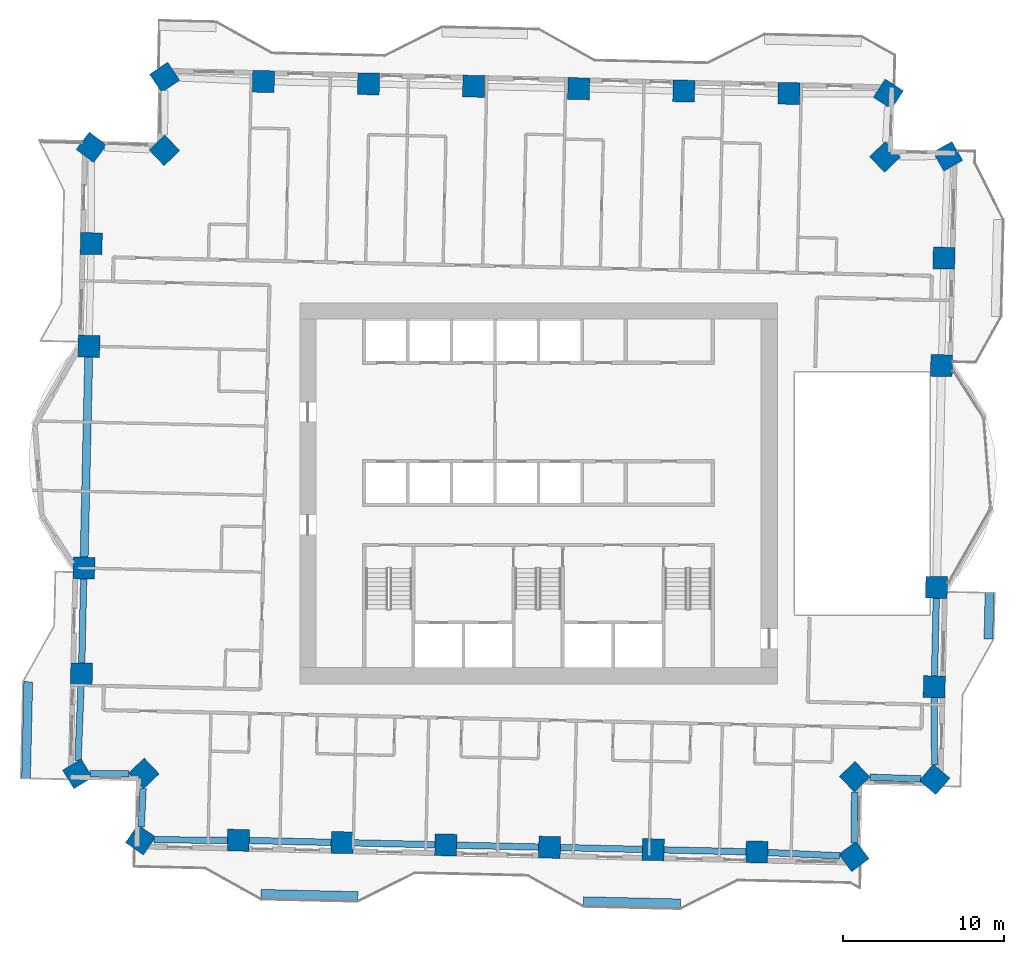
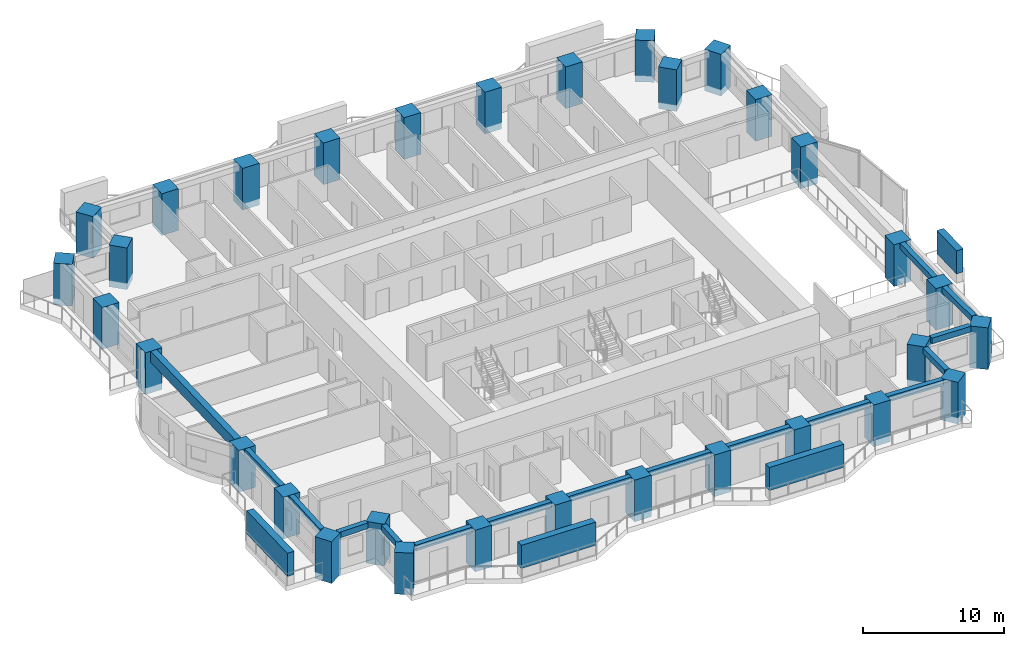
# One storey, part 1 of 16: 32 columns, 16 beams, 4 members.
"""IFC4 building model written with IfcOpenShell, lengths in metres."""

from ifc_helpers import new_model, si_unit, direction, frame, origin, origin_2d, place, context, subcontext, project, spatial, rectangle, extrude, material, material_profile, profile_set, type_object, element, save


model = new_model("IFC4")

# Units and contexts
model_context = context("Model", 3, precision=1e-05, world=origin(), true_north=direction((0.0, 1.0)))
body_context = subcontext(model_context, "Body", "Model", "MODEL_VIEW")
ifc_project = project(units=[si_unit("LENGTHUNIT", "METRE"), si_unit("AREAUNIT", "SQUARE_METRE"), si_unit("VOLUMEUNIT", "CUBIC_METRE"), si_unit("PLANEANGLEUNIT", "RADIAN"), si_unit("MASSUNIT", "GRAM", prefix="KILO")], contexts=[model_context])

# Site, building, storey
site_placement = place(None, origin())
site = spatial("IfcSite", under=ifc_project, at=site_placement, CompositionType="ELEMENT")
building_placement = place(site_placement, origin())
building = spatial("IfcBuilding", under=site, at=building_placement, Name="Mangrove Gate Tower", CompositionType="ELEMENT")
storey_placement = place(building_placement, frame((0.0, 0.0, 112.699951171875)))
storey = spatial("IfcBuildingStorey", under=building, at=storey_placement, Name="L28", CompositionType="ELEMENT", Elevation=112.699951171875)

# Columns
ifc_material_1 = material(Name="Concrete C70/85", Category="concrete")
ifc_material_profile_1 = material_profile(ifc_material_1, rectangle(XDim=1.35009765625, YDim=1.35009765625, at=origin_2d()))
ifc_profile_set_1 = profile_set([ifc_material_profile_1], Name="Concrete C70/85")
column_type = type_object("IfcColumnType", Name="Column RC 1350x1350 C70/85", PredefinedType="COLUMN", material=ifc_profile_set_1)
for number, where, z_axis, x_axis, name in (
    (1, (-28.17822265625, -4.624267578125, -0.550048828125), (0.0, 0.0, 1.0), (-0.022695691547, -0.999742419619, 0.0), "Column L28 W05"),
    (2, (-28.3271484375, -11.184326171875, -0.550048828125), (0.0, 0.0, 1.0), (-0.022705829297, -0.999742189425, 0.0), "Column L28 W06"),
    (3, (-28.574462890625, -17.379150390625, -0.550048828125), (0.0, 0.0, 1.0), (0.51980850099, -0.85428281166, 0.0), "Column L28 W07"),
    (4, (-24.464111328125, -17.358642578125, -0.550048828125), (0.0, 0.0, 1.0), (0.69093208713, -0.722919671176, 0.0), "Column L28 W08"),
    (5, (-24.6650390625, -21.46728515625, -0.550048828125), (0.0, 0.0, 1.0), (0.824584810142, -0.565738359034, 0.0), "Column L28 S01"),
    (6, (-18.603759765625, -21.4951171875, -0.550048828125), (0.0, 0.0, 1.0), (0.999742156532, -0.022707277547, 0.0), "Column L28 S02"),
    (7, (-12.17578125, -21.64111328125, -0.550048828125), (0.0, 0.0, 1.0), (0.999742156532, -0.022707277547, 0.0), "Column L28 S03"),
    (8, (-5.74755859375, -21.787109375, -0.550048828125), (0.0, 0.0, 1.0), (0.999742156532, -0.022707277547, 0.0), "Column L28 S04"),
    (9, (0.680419921875, -21.93310546875, -0.550048828125), (0.0, 0.0, 1.0), (0.999742156532, -0.022707277547, 0.0), "Column L28 S05"),
    (10, (7.108154296875, -22.0791015625, -0.550048828125), (0.0, 0.0, 1.0), (0.999743919101, -0.022629543109, 0.0), "Column L28 S06"),
    (11, (13.536376953125, -22.22412109375, -0.550048828125), (0.0, 0.0, 1.0), (0.999743919101, -0.022629543109, 0.0), "Column L28 S07"),
    (12, (19.546875, -22.5029296875, -0.550048828125), (0.0, 0.0, 1.0), (0.803200357552, 0.595708977294, 0.0), "Column L28 S08"),
    (13, (19.5966796875, -17.55908203125, -0.550048828125), (0.0, 0.0, 1.0), (0.722976563275, 0.690872556232, 0.0), "Column L28 E01"),
    (14, (24.546630859375, -17.722900390625, -0.550048828125), (0.0, 0.0, 1.0), (0.64744355459, 0.76211340601, 0.0), "Column L28 E02"),
    (15, (24.526123046875, -11.983642578125, -0.550048828125), (0.0, 0.0, 1.0), (0.022717711923, 0.99974191948, 0.0), "Column L28 E03"),
    (16, (24.666259765625, -5.82275390625, -0.550048828125), (0.0, 0.0, 1.0), (0.022698588047, 0.99974235386, 0.0), "Column L28 E04"),
    (17, (24.978271484375, 7.92431640625, -0.550048828125), (0.0, 0.0, 1.0), (0.022682447908, 0.999742720182, 0.0), "Column L28 E05"),
    (18, (25.129150390625, 14.584228515625, -0.550048828125), (0.0, 0.0, 1.0), (0.022665138693, 0.999743112748, 0.0), "Column L28 E06"),
    (19, (25.36865234375, 20.895751953125, -0.550048828125), (0.0, 0.0, 1.0), (-0.495140886792, 0.868812696861, 0.0), "Column L28 E07"),
    (20, (21.468017578125, 20.854736328125, -0.550048828125), (0.0, 0.0, 1.0), (-0.690837236726, 0.723010312757, 0.0), "Column L28 E08"),
    (21, (21.680908203125, 24.7529296875, -0.550048828125), (0.0, 0.0, 1.0), (-0.840169758103, 0.542323499001, 0.0), "Column L28 N01"),
    (22, (15.517822265625, 24.792236328125, -0.550048828125), (0.0, 0.0, 1.0), (-0.999743694319, 0.022639471488, 0.0), "Column L28 N02"),
    (23, (9.004638671875, 24.940185546875, -0.550048828125), (0.0, 0.0, 1.0), (-0.99974195437, 0.02271617643, 0.0), "Column L28 N03"),
    (24, (2.49072265625, 25.088134765625, -0.550048828125), (0.0, 0.0, 1.0), (-0.999741994016, 0.022714431551, 0.0), "Column L28 N04"),
    (25, (-4.0234375, 25.236083984375, -0.550048828125), (0.0, 0.0, 1.0), (-0.999741994016, 0.022714431551, 0.0), "Column L28 N05"),
    (26, (-10.537353515625, 25.38427734375, -0.550048828125), (0.0, 0.0, 1.0), (-0.99974195437, 0.02271617643, 0.0), "Column L28 N06"),
    (27, (-17.05029296875, 25.5322265625, -0.550048828125), (0.0, 0.0, 1.0), (-0.999743694319, 0.022639471488, 0.0), "Column L28 N07"),
    (28, (-23.17236328125, 25.7939453125, -0.550048828125), (0.0, 0.0, 1.0), (-0.829825550582, -0.558022898815, 0.0), "Column L28 N08"),
    (29, (-23.187744140625, 21.26806640625, -0.550048828125), (0.0, 0.0, 1.0), (-0.722988982899, -0.690859559249, 0.0), "Column L28 W01"),
    (30, (-27.714111328125, 21.4521484375, -0.550048828125), (0.0, 0.0, 1.0), (-0.604088172923, -0.796917485901, 0.0), "Column L28 W02"),
    (31, (-27.72216796875, 15.483642578125, -0.550048828125), (0.0, 0.0, 1.0), (-0.02271069751, -0.999742078848, 0.0), "Column L28 W03"),
    (32, (-27.8662109375, 9.122802734375, -0.550048828125), (0.0, 0.0, 1.0), (-0.022671716894, -0.999742963593, 0.0), "Column L28 W04"),
):
    element("IfcColumn", number, at=place(storey_placement, frame(where, z_axis=z_axis, x_axis=x_axis)), inside=storey, type_object=column_type, Name=name, PredefinedType="COLUMN", context=body_context, shape_type="SweptSolid", body=[
        extrude(rectangle(XDim=1.35009765625, YDim=1.35009765625, at=origin_2d()), origin(), (0.0, 0.0, 1.0), 3.60009765625),
    ])

# Members
ifc_material_2 = material(Name="Planting on aluminium trellis", Category="aluminium")
ifc_material_profile_2 = material_profile(ifc_material_2, rectangle(XDim=0.550048828125, YDim=2.0, at=origin_2d()))
ifc_profile_set_2 = profile_set([ifc_material_profile_2], Name="Planting on aluminium trellis")
member_type = type_object("IfcMemberType", Name="Balcony greenery screen 550x2000", PredefinedType="USERDEFINED", material=ifc_profile_set_2)
member_1_placement = place(storey_placement, frame((27.884033203125, -9.02197265625, 1.800048828125), z_axis=(0.022929749512, 0.99973707873, 0.0), x_axis=(-0.99973707873, 0.022929749512, 0.0)))
element("IfcMember", 33, at=member_1_placement, inside=storey, type_object=member_type, Name="GREEN SCREEN L28 E0.1", ObjectType="PLANTING", PredefinedType="USERDEFINED", context=body_context, shape_type="SweptSolid", body=[
    extrude(rectangle(XDim=0.550048828125, YDim=2.0, at=origin_2d()), origin(), (0.0, 0.0, 1.0), 2.874755859375),
])
member_2_placement = place(storey_placement, frame((-31.764892578125, -17.669921875, 1.800048828125), z_axis=(0.022666865795, 0.999743073592, 0.0), x_axis=(-0.999743073592, 0.022666865795, 0.0)))
element("IfcMember", 34, at=member_2_placement, inside=storey, type_object=member_type, Name="GREEN SCREEN L28 W1.1", ObjectType="PLANTING", PredefinedType="USERDEFINED", context=body_context, shape_type="SweptSolid", body=[
    extrude(rectangle(XDim=0.550048828125, YDim=2.0, at=origin_2d()), origin(), (0.0, 0.0, 1.0), 5.999267578125),
])
for number, where, z_axis, x_axis, name in (
    (35, (-17.205078125, -24.818115234375, 1.800048828125), (0.999743178102, -0.022662255828, 0.0), (0.022662255828, 0.999743178102, 0.0), "GREEN SCREEN L28 S0.1"),
    (36, (2.7900390625, -25.27197265625, 1.800048828125), (0.999743178102, -0.022662255828, 0.0), (0.022662255828, 0.999743178102, 0.0), "GREEN SCREEN L28 S1.1"),
):
    element("IfcMember", number, at=place(storey_placement, frame(where, z_axis=z_axis, x_axis=x_axis)), inside=storey, type_object=member_type, Name=name, ObjectType="PLANTING", PredefinedType="USERDEFINED", context=body_context, shape_type="SweptSolid", body=[
        extrude(rectangle(XDim=0.550048828125, YDim=2.0, at=origin_2d()), origin(), (0.0, 0.0, 1.0), 6.00048828125),
    ])

# Beams
ifc_material_3 = material(Name="Concrete C50/60", Category="concrete")
ifc_material_profile_3 = material_profile(ifc_material_3, rectangle(XDim=0.39990234375, YDim=0.5, at=origin_2d()))
ifc_profile_set_3 = profile_set([ifc_material_profile_3], Name="Concrete C50/60")
beam_type_1 = type_object("IfcBeamType", Name="Edge beam RC 400x500 C50/60", PredefinedType="BEAM", material=ifc_profile_set_3)
beam_1_placement = place(storey_placement, frame((-28.193603515625, -5.299072265625, 2.800048828125), z_axis=(-0.02267245742, -0.999742946799, 0.0), x_axis=(0.999742946799, -0.02267245742, 0.0)))
element("IfcBeam", 37, at=beam_1_placement, inside=storey, type_object=beam_type_1, Name="Edge beam L28 00", PredefinedType="BEAM", context=body_context, shape_type="SweptSolid", body=[
    extrude(rectangle(XDim=0.39990234375, YDim=0.5, at=origin_2d()), origin(), (0.0, 0.0, 1.0), 5.211669921875),
])
beam_2_placement = place(storey_placement, frame((-28.35400390625, -11.85888671875, 2.800048828125), z_axis=(-0.039877036275, -0.999204594654, 0.0), x_axis=(0.999204594654, -0.039877036275, 0.0)))
element("IfcBeam", 38, at=beam_2_placement, inside=storey, type_object=beam_type_1, Name="Edge beam L28 01", PredefinedType="BEAM", context=body_context, shape_type="SweptSolid", body=[
    extrude(rectangle(XDim=0.39990234375, YDim=0.5, at=origin_2d()), origin(), (0.0, 0.0, 1.0), 4.714111328125),
])
beam_3_placement = place(storey_placement, frame((-27.78662109375, -17.375244140625, 2.800048828125), z_axis=(0.999987507884, 0.004998407415, 0.0), x_axis=(-0.004998407415, 0.999987507884, 0.0)))
element("IfcBeam", 39, at=beam_3_placement, inside=storey, type_object=beam_type_1, Name="Edge beam L28 02", PredefinedType="BEAM", context=body_context, shape_type="SweptSolid", body=[
    extrude(rectangle(XDim=0.39990234375, YDim=0.5, at=origin_2d()), origin(), (0.0, 0.0, 1.0), 2.393310546875),
])
beam_4_placement = place(storey_placement, frame((-24.509521484375, -18.2880859375, 2.800048828125), z_axis=(-0.048928849018, -0.998802266584, 0.0), x_axis=(0.998802266584, -0.048928849018, 0.0)))
element("IfcBeam", 40, at=beam_4_placement, inside=storey, type_object=beam_type_1, Name="Edge beam L28 03", PredefinedType="BEAM", context=body_context, shape_type="SweptSolid", body=[
    extrude(rectangle(XDim=0.39990234375, YDim=0.5, at=origin_2d()), origin(), (0.0, 0.0, 1.0), 2.39013671875),
])
beam_5_placement = place(storey_placement, frame((-23.84912109375, -21.47119140625, 2.800048828125), z_axis=(0.99998944767, -0.004593968616, 0.0), x_axis=(0.004593968616, 0.99998944767, 0.0)))
element("IfcBeam", 41, at=beam_5_placement, inside=storey, type_object=beam_type_1, Name="Edge beam L28 04", PredefinedType="BEAM", context=body_context, shape_type="SweptSolid", body=[
    extrude(rectangle(XDim=0.39990234375, YDim=0.5, at=origin_2d()), origin(), (0.0, 0.0, 1.0), 4.5703125),
])
beam_6_placement = place(storey_placement, frame((-17.928955078125, -21.510498046875, 2.800048828125), z_axis=(0.999742653716, -0.022685377268, 0.0), x_axis=(0.022685377268, 0.999742653716, 0.0)))
element("IfcBeam", 42, at=beam_6_placement, inside=storey, type_object=beam_type_1, Name="Edge beam L28 05", PredefinedType="BEAM", context=body_context, shape_type="SweptSolid", body=[
    extrude(rectangle(XDim=0.39990234375, YDim=0.5, at=origin_2d()), origin(), (0.0, 0.0, 1.0), 5.07958984375),
])
beam_7_placement = place(storey_placement, frame((-11.500732421875, -21.656494140625, 2.800048828125), z_axis=(0.99974262898, -0.02268646735, 0.0), x_axis=(0.02268646735, 0.99974262898, 0.0)))
element("IfcBeam", 43, at=beam_7_placement, inside=storey, type_object=beam_type_1, Name="Edge beam L28 06", PredefinedType="BEAM", context=body_context, shape_type="SweptSolid", body=[
    extrude(rectangle(XDim=0.39990234375, YDim=0.5, at=origin_2d()), origin(), (0.0, 0.0, 1.0), 5.079345703125),
])
beam_8_placement = place(storey_placement, frame((-5.07275390625, -21.802490234375, 2.800048828125), z_axis=(0.999741562533, -0.022733414695, 0.0), x_axis=(0.022733414695, 0.999741562533, 0.0)))
element("IfcBeam", 44, at=beam_8_placement, inside=storey, type_object=beam_type_1, Name="Edge beam L28 07", PredefinedType="BEAM", context=body_context, shape_type="SweptSolid", body=[
    extrude(rectangle(XDim=0.39990234375, YDim=0.5, at=origin_2d()), origin(), (0.0, 0.0, 1.0), 5.07958984375),
])
for number, where, z_axis, x_axis, name in (
    (45, (1.355224609375, -21.948486328125, 2.800048828125), (0.999741537692, -0.022734507083, 0.0), (0.022734507083, 0.999741537692, 0.0), "Edge beam L28 08"),
    (46, (7.783203125, -22.094482421875, 2.800048828125), (0.999745889005, -0.022542347209, 0.0), (0.022542347209, 0.999745889005, 0.0), "Edge beam L28 09"),
):
    element("IfcBeam", number, at=place(storey_placement, frame(where, z_axis=z_axis, x_axis=x_axis)), inside=storey, type_object=beam_type_1, Name=name, PredefinedType="BEAM", context=body_context, shape_type="SweptSolid", body=[
        extrude(rectangle(XDim=0.39990234375, YDim=0.5, at=origin_2d()), origin(), (0.0, 0.0, 1.0), 5.079345703125),
    ])
beam_9_placement = place(storey_placement, frame((14.210693359375, -22.25537109375, 2.800048828125), z_axis=(0.998927147581, -0.046309327638, 0.0), x_axis=(0.046309327638, 0.998927147581, 0.0)))
element("IfcBeam", 47, at=beam_9_placement, inside=storey, type_object=beam_type_1, Name="Edge beam L28 10", PredefinedType="BEAM", context=body_context, shape_type="SweptSolid", body=[
    extrude(rectangle(XDim=0.39990234375, YDim=0.5, at=origin_2d()), origin(), (0.0, 0.0, 1.0), 4.470703125),
])
beam_10_placement = place(storey_placement, frame((19.555419921875, -21.65625, 2.800048828125), z_axis=(0.01006063159, 0.999949390565, 0.0), x_axis=(-0.999949390565, 0.01006063159, 0.0)))
element("IfcBeam", 48, at=beam_10_placement, inside=storey, type_object=beam_type_1, Name="Edge beam L28 11", PredefinedType="BEAM", context=body_context, shape_type="SweptSolid", body=[
    extrude(rectangle(XDim=0.39990234375, YDim=0.5, at=origin_2d()), origin(), (0.0, 0.0, 1.0), 3.15478515625),
])
beam_11_placement = place(storey_placement, frame((20.541015625, -17.59033203125, 2.800048828125), z_axis=(0.999453316313, -0.03306158664, 0.0), x_axis=(0.03306158664, 0.999453316313, 0.0)))
element("IfcBeam", 49, at=beam_11_placement, inside=storey, type_object=beam_type_1, Name="Edge beam L28 12", PredefinedType="BEAM", context=body_context, shape_type="SweptSolid", body=[
    extrude(rectangle(XDim=0.39990234375, YDim=0.5, at=origin_2d()), origin(), (0.0, 0.0, 1.0), 3.145751953125),
])
beam_12_placement = place(storey_placement, frame((24.54345703125, -16.834716796875, 2.800048828125), z_axis=(-0.003566394531, 0.999993640395, 0.0), x_axis=(-0.999993640395, -0.003566394531, 0.0)))
element("IfcBeam", 50, at=beam_12_placement, inside=storey, type_object=beam_type_1, Name="Edge beam L28 13", PredefinedType="BEAM", context=body_context, shape_type="SweptSolid", body=[
    extrude(rectangle(XDim=0.39990234375, YDim=0.5, at=origin_2d()), origin(), (0.0, 0.0, 1.0), 4.17578125),
])
beam_13_placement = place(storey_placement, frame((24.54150390625, -11.308837890625, 2.800048828125), z_axis=(0.022727167182, 0.999741704578, 0.0), x_axis=(-0.999741704578, 0.022727167182, 0.0)))
element("IfcBeam", 51, at=beam_13_placement, inside=storey, type_object=beam_type_1, Name="Edge beam L28 14", PredefinedType="BEAM", context=body_context, shape_type="SweptSolid", body=[
    extrude(rectangle(XDim=0.39990234375, YDim=0.5, at=origin_2d()), origin(), (0.0, 0.0, 1.0), 4.8125),
])
ifc_material_4 = material(Name="Concrete C50/60", Category="concrete")
ifc_material_profile_4 = material_profile(ifc_material_4, rectangle(XDim=0.5, YDim=0.949951171875, at=origin_2d()))
ifc_profile_set_4 = profile_set([ifc_material_profile_4], Name="Concrete C50/60")
beam_type_2 = type_object("IfcBeamType", Name="Edge beam RC 500x950 C50/60", PredefinedType="BEAM", material=ifc_profile_set_4)
beam_14_placement = place(storey_placement, frame((-27.881591796875, 8.44775390625, 2.574951171875), z_axis=(-0.022680707756, -0.999742759662, 0.0), x_axis=(0.999742759662, -0.022680707756, 0.0)))
element("IfcBeam", 52, at=beam_14_placement, inside=storey, type_object=beam_type_2, Name="Edge beam L28 31", PredefinedType="BEAM", context=body_context, shape_type="SweptSolid", body=[
    extrude(rectangle(XDim=0.5, YDim=0.949951171875, at=origin_2d()), origin(), (0.0, 0.0, 1.0), 12.400390625),
])

save(model, "model.ifc")
